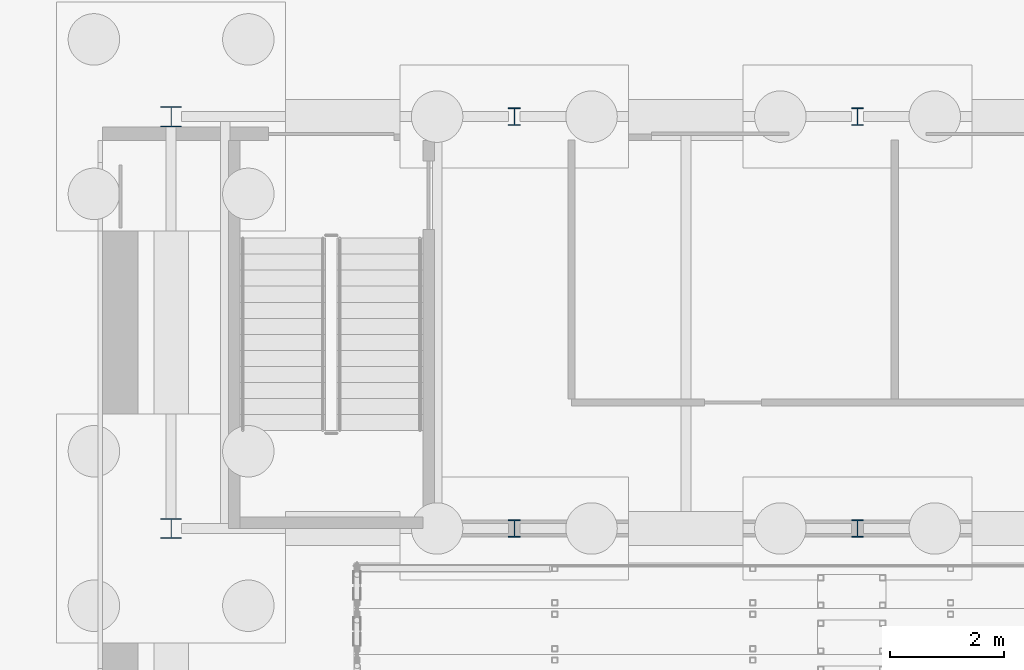
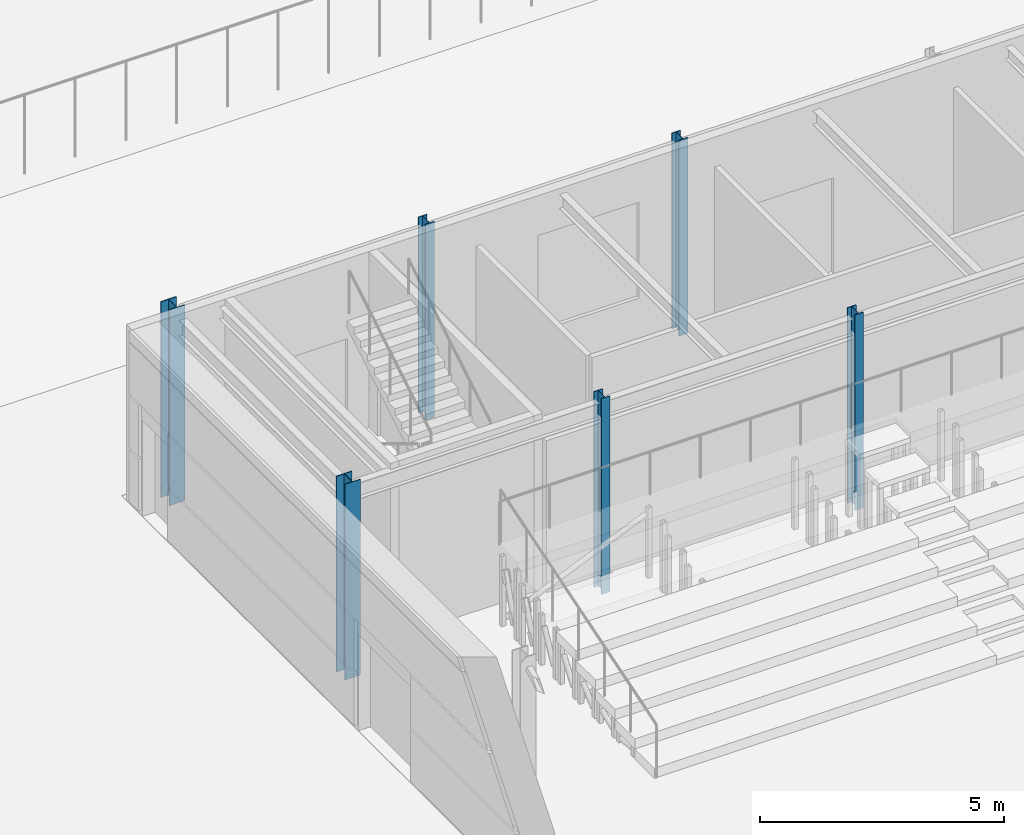
# One storey, part 20 of 139: 6 columns.
"""IFC4 building model written with IfcOpenShell, lengths in metres."""

from ifc_helpers import new_model, si_unit, direction, frame, origin, origin_2d, place, context, subcontext, project, spatial, i_section, extrude, material, material_profile, profile_set, type_object, element, save


model = new_model("IFC4")

# Units and contexts
model_context = context("Model", 3, precision=1e-05, world=origin(), true_north=direction((0.0, 1.0)))
body_context = subcontext(model_context, "Body", "Model", "MODEL_VIEW")
ifc_project = project(units=[si_unit("LENGTHUNIT", "METRE"), si_unit("AREAUNIT", "SQUARE_METRE"), si_unit("VOLUMEUNIT", "CUBIC_METRE"), si_unit("PLANEANGLEUNIT", "RADIAN"), si_unit("MASSUNIT", "GRAM", prefix="KILO")], contexts=[model_context])

# Site, building, storey
site_placement = place(None, origin())
site = spatial("IfcSite", under=ifc_project, at=site_placement, CompositionType="ELEMENT")
building_placement = place(site_placement, origin())
building = spatial("IfcBuilding", under=site, at=building_placement, Name="Verrick Yard Athletic Hall", CompositionType="ELEMENT")
storey_placement = place(building_placement, origin())
storey = spatial("IfcBuildingStorey", under=building, at=storey_placement, Name="L00", CompositionType="ELEMENT", Elevation=0.0)

# Columns
ifc_material = material(Name="Structural steel 350W (CSA G40.21)", Category="steel")
ifc_material_profile_1 = material_profile(ifc_material, i_section(OverallWidth=0.205078125, OverallDepth=0.31005859375, WebThickness=0.009521484375, FlangeThickness=0.016357421875, at=origin_2d()), Name="W310x74")
ifc_profile_set_1 = profile_set([ifc_material_profile_1], Name="Structural steel 350W (CSA G40.21)")
column_type_1 = type_object("IfcColumnType", Name="HB column W310x74", PredefinedType="COLUMN", material=ifc_profile_set_1)
for number, where, z_axis, x_axis, name in (
    (1, (127.60009765625, 100.800048828125, -0.5), (0.0, 0.0, 1.0), (1.0, 0.0, 0.0), "HB-C-A-B1S-L00"),
    (2, (127.60009765625, 108.0, -0.5), (0.0, 0.0, 1.0), (1.0, 0.0, 0.0), "HB-C-A-B1N-L00"),
    (3, (133.60009765625, 100.800048828125, -0.5), (0.0, 0.0, 1.0), (1.0, 0.0, 0.0), "HB-C-A-B2S-L00"),
    (4, (133.60009765625, 108.0, -0.5), (0.0, 0.0, 1.0), (1.0, 0.0, 0.0), "HB-C-A-B2N-L00"),
):
    element("IfcColumn", number, at=place(storey_placement, frame(where, z_axis=z_axis, x_axis=x_axis)), inside=storey, type_object=column_type_1, Name=name, PredefinedType="COLUMN", context=body_context, shape_type="SweptSolid", body=[
        extrude(i_section(OverallWidth=0.205078125, OverallDepth=0.31005859375, WebThickness=0.009521484375, FlangeThickness=0.016357421875, at=origin_2d()), origin(), (0.0, 0.0, 1.0), 4.89990234375),
    ])
ifc_material_profile_2 = material_profile(ifc_material, i_section(OverallWidth=0.368896484375, OverallDepth=0.35595703125, WebThickness=0.01123046875, FlangeThickness=0.01806640625, at=origin_2d()), Name="W360x134")
ifc_profile_set_2 = profile_set([ifc_material_profile_2], Name="Structural steel 350W (CSA G40.21)")
column_type_2 = type_object("IfcColumnType", Name="HB column W360x134", PredefinedType="COLUMN", material=ifc_profile_set_2)
for number, where, z_axis, x_axis, name in (
    (5, (121.60009765625, 100.800048828125, -0.5), (0.0, 0.0, 1.0), (1.0, 0.0, 0.0), "HB-C-HAW5-L00"),
    (6, (121.60009765625, 108.0, -0.5), (0.0, 0.0, 1.0), (1.0, 0.0, 0.0), "HB-C-HAW6-L00"),
):
    element("IfcColumn", number, at=place(storey_placement, frame(where, z_axis=z_axis, x_axis=x_axis)), inside=storey, type_object=column_type_2, Name=name, PredefinedType="COLUMN", context=body_context, shape_type="SweptSolid", body=[
        extrude(i_section(OverallWidth=0.368896484375, OverallDepth=0.35595703125, WebThickness=0.01123046875, FlangeThickness=0.01806640625, at=origin_2d()), origin(), (0.0, 0.0, 1.0), 4.89990234375),
    ])

save(model, "model.ifc")
